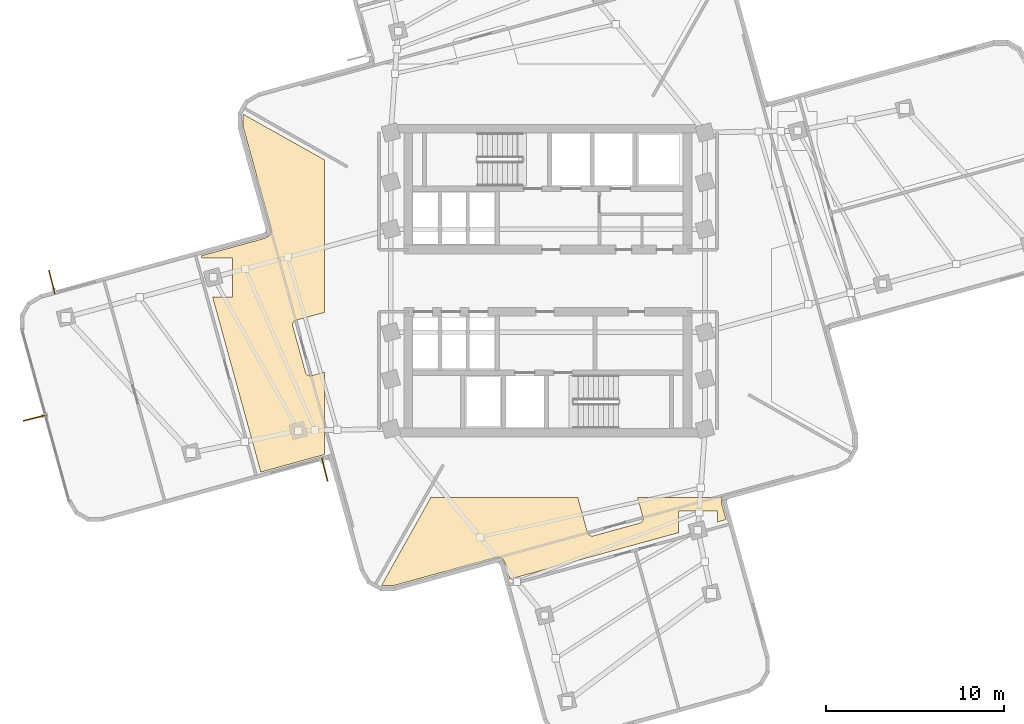
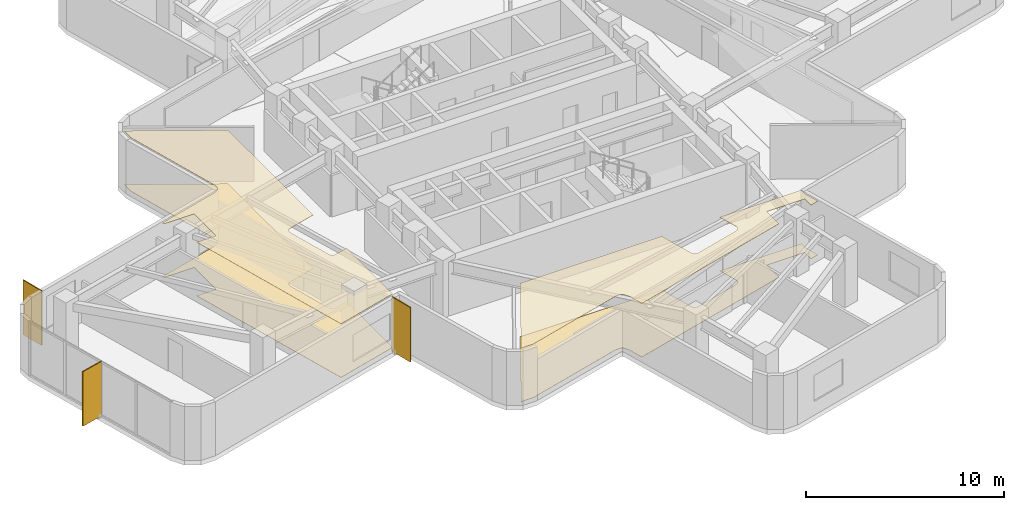
# One storey, part 10 of 12: 4 coverings, 3 shading devices.
"""IFC4 building model written with IfcOpenShell, lengths in metres."""

from ifc_helpers import new_model, si_unit, direction, frame, origin, origin_2d, place, context, subcontext, project, spatial, polyline, rectangle, outline, extrude, material, layer, layer_set, type_object, element, save


model = new_model("IFC4")

# Units and contexts
model_context = context("Model", 3, precision=1e-05, world=origin(), true_north=direction((0.0, 1.0)))
body_context = subcontext(model_context, "Body", "Model", "MODEL_VIEW")
ifc_project = project(units=[si_unit("LENGTHUNIT", "METRE"), si_unit("AREAUNIT", "SQUARE_METRE"), si_unit("VOLUMEUNIT", "CUBIC_METRE"), si_unit("PLANEANGLEUNIT", "RADIAN"), si_unit("MASSUNIT", "GRAM", prefix="KILO")], contexts=[model_context])

# Site, building, storey
site_placement = place(None, origin())
site = spatial("IfcSite", under=ifc_project, at=site_placement, CompositionType="ELEMENT")
building_placement = place(site_placement, origin())
building = spatial("IfcBuilding", under=site, at=building_placement, Name="Solmarez Civic Tower", CompositionType="ELEMENT")
storey_placement = place(building_placement, frame((0.0, 0.0, 134.280029296875)))
storey = spatial("IfcBuildingStorey", under=building, at=storey_placement, Name="L35", CompositionType="ELEMENT", Elevation=134.280029296875)

# Coverings
ifc_material_1 = material(Name="Perforated Mineral-Fibre Acoustic Ceiling")
ifc_layer_1 = layer(ifc_material_1, 0.02490234375)
ifc_layer_set_1 = layer_set([ifc_layer_1], Name="Perforated Mineral-Fibre Acoustic Ceiling")
covering_type_1 = type_object("IfcCoveringType", Name="COV-CEIL-ACOUSTIC", PredefinedType="CEILING", material=ifc_layer_set_1)
covering_1_placement = place(storey_placement, frame((0.0, 0.0, 3.294921875)))
element("IfcCovering", 1, at=covering_1_placement, inside=storey, type_object=covering_type_1, Name="L35 Suspended Acoustic Ceiling 1", PredefinedType="CEILING", context=body_context, shape_type="SweptSolid", body=[
    extrude(outline(polyline([(-16.177001953125, -10.782958984375), (-12.615966796875, -9.802001953125), (-12.60009765625, -9.798095703125), (-12.60009765625, -5.15087890625), (-13.327880859375, -5.35107421875), (-13.337890625, -5.35400390625), (-13.346923828125, -5.35595703125), (-13.37109375, -5.360107421875), (-13.39501953125, -5.361083984375), (-13.405029296875, -5.361083984375), (-13.427001953125, -5.360107421875), (-13.447998046875, -5.35693359375), (-13.452880859375, -5.35595703125), (-13.47998046875, -5.34912109375), (-13.489013671875, -5.345947265625), (-13.508056640625, -5.337890625), (-13.52587890625, -5.3291015625), (-13.534912109375, -5.323974609375), (-13.552001953125, -5.31396484375), (-13.568115234375, -5.301025390625), (-13.583984375, -5.2880859375), (-13.591064453125, -5.281005859375), (-13.60205078125, -5.26806640625), (-13.60791015625, -5.260986328125), (-13.6220703125, -5.243896484375), (-13.633056640625, -5.22509765625), (-13.637939453125, -5.216064453125), (-13.64794921875, -5.195068359375), (-13.656005859375, -5.174072265625), (-13.658935546875, -5.162109375), (-14.3759765625, -2.55908203125), (-14.37890625, -2.549072265625), (-14.381103515625, -2.5400390625), (-14.385009765625, -2.51611328125), (-14.385986328125, -2.491943359375), (-14.385986328125, -2.48193359375), (-14.385009765625, -2.4599609375), (-14.382080078125, -2.43896484375), (-14.381103515625, -2.43408203125), (-14.3740234375, -2.406982421875), (-14.37109375, -2.39794921875), (-14.363037109375, -2.37890625), (-14.35400390625, -2.361083984375), (-14.34912109375, -2.35205078125), (-14.339111328125, -2.3349609375), (-14.325927734375, -2.319091796875), (-14.31298828125, -2.302978515625), (-14.305908203125, -2.2958984375), (-14.29296875, -2.284912109375), (-14.285888671875, -2.279052734375), (-14.26904296875, -2.264892578125), (-14.25, -2.25390625), (-14.240966796875, -2.2490234375), (-14.219970703125, -2.239013671875), (-14.198974609375, -2.23095703125), (-14.18701171875, -2.22802734375), (-12.60009765625, -1.7900390625), (-12.60009765625, 6.81494140625), (-17.1689453125, 9.376953125), (-17.172119140625, 9.3720703125), (-17.1669921875, 8.662109375), (-15.611083984375, 3.013916015625), (-15.60888671875, 3.008056640625), (-15.60302734375, 2.97900390625), (-15.60205078125, 2.971923828125), (-15.60009765625, 2.94091796875), (-15.60009765625, 2.93505859375), (-15.59912109375, 2.761962890625), (-15.59912109375, 2.7548828125), (-15.60107421875, 2.72802734375), (-15.60205078125, 2.719970703125), (-15.60400390625, 2.702880859375), (-15.60791015625, 2.68701171875), (-15.611083984375, 2.678955078125), (-15.617919921875, 2.656005859375), (-15.626953125, 2.634033203125), (-15.6298828125, 2.6279296875), (-15.635986328125, 2.616943359375), (-15.639892578125, 2.610107421875), (-15.64990234375, 2.593994140625), (-15.660888671875, 2.5791015625), (-15.6689453125, 2.568115234375), (-15.68408203125, 2.552001953125), (-15.698974609375, 2.5380859375), (-15.7109375, 2.528076171875), (-15.72998046875, 2.513916015625), (-15.736083984375, 2.510009765625), (-15.7470703125, 2.5029296875), (-15.89111328125, 2.4189453125), (-15.907958984375, 2.408935546875), (-15.925048828125, 2.39990234375), (-15.943115234375, 2.39306640625), (-15.948974609375, 2.39111328125), (-15.958984375, 2.387939453125), (-15.968017578125, 2.385986328125), (-19.532958984375, 1.403076171875), (-19.5, 1.282958984375), (-17.760009765625, 1.282958984375), (-17.760009765625, -0.9169921875), (-18.89404296875, -0.9169921875), (-16.177001953125, -10.782958984375)])), origin(), (0.0, 0.0, 1.0), 0.025146484375),
])
covering_2_placement = place(storey_placement, frame((0.0, 0.0, 3.294921875)))
element("IfcCovering", 2, at=covering_2_placement, inside=storey, type_object=covering_type_1, Name="L35 Suspended Acoustic Ceiling 3", PredefinedType="CEILING", context=body_context, shape_type="SweptSolid", body=[
    extrude(outline(polyline([(-2.5791015625, -15.660888671875), (-2.568115234375, -15.6689453125), (-2.552001953125, -15.68408203125), (-2.5380859375, -15.698974609375), (-2.528076171875, -15.7109375), (-2.513916015625, -15.72998046875), (-2.510009765625, -15.736083984375), (-2.5029296875, -15.7470703125), (-2.4189453125, -15.89111328125), (-2.408935546875, -15.907958984375), (-2.39990234375, -15.925048828125), (-2.39306640625, -15.943115234375), (-2.39111328125, -15.948974609375), (-2.387939453125, -15.958984375), (-2.385986328125, -15.968017578125), (-2.152099609375, -16.81494140625), (7.344970703125, -14.198974609375), (7.344970703125, -12.964111328125), (9.544921875, -12.964111328125), (9.544921875, -13.593017578125), (10.033935546875, -13.4580078125), (9.802001953125, -12.615966796875), (9.797119140625, -12.596923828125), (9.79296875, -12.576904296875), (9.7919921875, -12.570068359375), (9.7900390625, -12.5390625), (9.7900390625, -12.532958984375), (9.7890625, -12.360107421875), (9.7890625, -12.35205078125), (9.791015625, -12.321044921875), (9.7919921875, -12.31396484375), (9.797119140625, -12.2919921875), (9.799072265625, -12.283935546875), (9.800048828125, -12.277099609375), (9.802001953125, -12.27001953125), (9.81201171875, -12.242919921875), (9.81494140625, -12.236083984375), (9.825927734375, -12.214111328125), (9.830078125, -12.20703125), (9.833984375, -12.199951171875), (5.041015625, -12.199951171875), (5.35107421875, -13.327880859375), (5.35400390625, -13.337890625), (5.35595703125, -13.346923828125), (5.360107421875, -13.37109375), (5.361083984375, -13.39501953125), (5.361083984375, -13.405029296875), (5.360107421875, -13.427001953125), (5.35693359375, -13.447998046875), (5.35595703125, -13.452880859375), (5.34912109375, -13.47998046875), (5.345947265625, -13.489013671875), (5.337890625, -13.508056640625), (5.3291015625, -13.52587890625), (5.323974609375, -13.534912109375), (5.31396484375, -13.552001953125), (5.301025390625, -13.568115234375), (5.2880859375, -13.583984375), (5.281005859375, -13.591064453125), (5.26806640625, -13.60205078125), (5.260986328125, -13.60791015625), (5.243896484375, -13.6220703125), (5.22509765625, -13.633056640625), (5.216064453125, -13.637939453125), (5.195068359375, -13.64794921875), (5.174072265625, -13.656005859375), (5.162109375, -13.658935546875), (2.55908203125, -14.3759765625), (2.549072265625, -14.37890625), (2.5400390625, -14.381103515625), (2.51611328125, -14.385009765625), (2.491943359375, -14.385986328125), (2.48193359375, -14.385986328125), (2.4599609375, -14.385009765625), (2.43896484375, -14.382080078125), (2.43408203125, -14.381103515625), (2.406982421875, -14.3740234375), (2.39794921875, -14.37109375), (2.37890625, -14.363037109375), (2.361083984375, -14.35400390625), (2.35205078125, -14.34912109375), (2.3349609375, -14.339111328125), (2.319091796875, -14.325927734375), (2.302978515625, -14.31298828125), (2.2958984375, -14.305908203125), (2.284912109375, -14.29296875), (2.279052734375, -14.285888671875), (2.264892578125, -14.26904296875), (2.25390625, -14.25), (2.2490234375, -14.240966796875), (2.239013671875, -14.219970703125), (2.23095703125, -14.198974609375), (2.22802734375, -14.18701171875), (1.679931640625, -12.199951171875), (-6.590087890625, -12.199951171875), (-9.376953125, -17.1689453125), (-9.3720703125, -17.172119140625), (-8.662109375, -17.1669921875), (-3.013916015625, -15.611083984375), (-3.008056640625, -15.60888671875), (-2.97900390625, -15.60302734375), (-2.971923828125, -15.60205078125), (-2.94091796875, -15.60009765625), (-2.93505859375, -15.60009765625), (-2.761962890625, -15.59912109375), (-2.7548828125, -15.59912109375), (-2.72802734375, -15.60107421875), (-2.719970703125, -15.60205078125), (-2.702880859375, -15.60400390625), (-2.68701171875, -15.60791015625), (-2.678955078125, -15.611083984375), (-2.656005859375, -15.617919921875), (-2.634033203125, -15.626953125), (-2.6279296875, -15.6298828125), (-2.616943359375, -15.635986328125), (-2.610107421875, -15.639892578125), (-2.593994140625, -15.64990234375), (-2.5791015625, -15.660888671875)])), origin(), (0.0, 0.0, 1.0), 0.025146484375),
])
ifc_material_2 = material(Name="Polished Tropical Stone Terrazzo Flooring", Category="masonry")
ifc_layer_2 = layer(ifc_material_2, 0.02001953125)
ifc_layer_set_2 = layer_set([ifc_layer_2], Name="Polished Tropical Stone Terrazzo Flooring")
covering_type_2 = type_object("IfcCoveringType", Name="COV-FLOOR-TERRAZZO", PredefinedType="FLOORING", material=ifc_layer_set_2)
covering_3_placement = place(storey_placement, origin())
element("IfcCovering", 3, at=covering_3_placement, inside=storey, type_object=covering_type_2, Name="L35 Terrazzo Floor Finish 1", PredefinedType="FLOORING", context=body_context, shape_type="SweptSolid", body=[
    extrude(outline(polyline([(-16.177001953125, -10.782958984375), (-12.615966796875, -9.802001953125), (-12.60009765625, -9.798095703125), (-12.60009765625, -5.15087890625), (-13.327880859375, -5.35107421875), (-13.337890625, -5.35400390625), (-13.346923828125, -5.35595703125), (-13.37109375, -5.360107421875), (-13.39501953125, -5.361083984375), (-13.405029296875, -5.361083984375), (-13.427001953125, -5.360107421875), (-13.447998046875, -5.35693359375), (-13.452880859375, -5.35595703125), (-13.47998046875, -5.34912109375), (-13.489013671875, -5.345947265625), (-13.508056640625, -5.337890625), (-13.52587890625, -5.3291015625), (-13.534912109375, -5.323974609375), (-13.552001953125, -5.31396484375), (-13.568115234375, -5.301025390625), (-13.583984375, -5.2880859375), (-13.591064453125, -5.281005859375), (-13.60205078125, -5.26806640625), (-13.60791015625, -5.260986328125), (-13.6220703125, -5.243896484375), (-13.633056640625, -5.22509765625), (-13.637939453125, -5.216064453125), (-13.64794921875, -5.195068359375), (-13.656005859375, -5.174072265625), (-13.658935546875, -5.162109375), (-14.3759765625, -2.55908203125), (-14.37890625, -2.549072265625), (-14.381103515625, -2.5400390625), (-14.385009765625, -2.51611328125), (-14.385986328125, -2.491943359375), (-14.385986328125, -2.48193359375), (-14.385009765625, -2.4599609375), (-14.382080078125, -2.43896484375), (-14.381103515625, -2.43408203125), (-14.3740234375, -2.406982421875), (-14.37109375, -2.39794921875), (-14.363037109375, -2.37890625), (-14.35400390625, -2.361083984375), (-14.34912109375, -2.35205078125), (-14.339111328125, -2.3349609375), (-14.325927734375, -2.319091796875), (-14.31298828125, -2.302978515625), (-14.305908203125, -2.2958984375), (-14.29296875, -2.284912109375), (-14.285888671875, -2.279052734375), (-14.26904296875, -2.264892578125), (-14.25, -2.25390625), (-14.240966796875, -2.2490234375), (-14.219970703125, -2.239013671875), (-14.198974609375, -2.23095703125), (-14.18701171875, -2.22802734375), (-12.60009765625, -1.7900390625), (-12.60009765625, 6.81494140625), (-17.1689453125, 9.376953125), (-17.172119140625, 9.3720703125), (-17.1669921875, 8.662109375), (-15.611083984375, 3.013916015625), (-15.60888671875, 3.008056640625), (-15.60302734375, 2.97900390625), (-15.60205078125, 2.971923828125), (-15.60009765625, 2.94091796875), (-15.60009765625, 2.93505859375), (-15.59912109375, 2.761962890625), (-15.59912109375, 2.7548828125), (-15.60107421875, 2.72802734375), (-15.60205078125, 2.719970703125), (-15.60400390625, 2.702880859375), (-15.60791015625, 2.68701171875), (-15.611083984375, 2.678955078125), (-15.617919921875, 2.656005859375), (-15.626953125, 2.634033203125), (-15.6298828125, 2.6279296875), (-15.635986328125, 2.616943359375), (-15.639892578125, 2.610107421875), (-15.64990234375, 2.593994140625), (-15.660888671875, 2.5791015625), (-15.6689453125, 2.568115234375), (-15.68408203125, 2.552001953125), (-15.698974609375, 2.5380859375), (-15.7109375, 2.528076171875), (-15.72998046875, 2.513916015625), (-15.736083984375, 2.510009765625), (-15.7470703125, 2.5029296875), (-15.89111328125, 2.4189453125), (-15.907958984375, 2.408935546875), (-15.925048828125, 2.39990234375), (-15.943115234375, 2.39306640625), (-15.948974609375, 2.39111328125), (-15.958984375, 2.387939453125), (-15.968017578125, 2.385986328125), (-19.532958984375, 1.403076171875), (-19.5, 1.282958984375), (-17.760009765625, 1.282958984375), (-17.760009765625, -0.9169921875), (-18.89404296875, -0.9169921875), (-16.177001953125, -10.782958984375)])), origin(), (0.0, 0.0, 1.0), 0.02001953125),
])
covering_4_placement = place(storey_placement, origin())
element("IfcCovering", 4, at=covering_4_placement, inside=storey, type_object=covering_type_2, Name="L35 Terrazzo Floor Finish 3", PredefinedType="FLOORING", context=body_context, shape_type="SweptSolid", body=[
    extrude(outline(polyline([(-2.5791015625, -15.660888671875), (-2.568115234375, -15.6689453125), (-2.552001953125, -15.68408203125), (-2.5380859375, -15.698974609375), (-2.528076171875, -15.7109375), (-2.513916015625, -15.72998046875), (-2.510009765625, -15.736083984375), (-2.5029296875, -15.7470703125), (-2.4189453125, -15.89111328125), (-2.408935546875, -15.907958984375), (-2.39990234375, -15.925048828125), (-2.39306640625, -15.943115234375), (-2.39111328125, -15.948974609375), (-2.387939453125, -15.958984375), (-2.385986328125, -15.968017578125), (-2.152099609375, -16.81494140625), (7.344970703125, -14.198974609375), (7.344970703125, -12.964111328125), (9.544921875, -12.964111328125), (9.544921875, -13.593017578125), (10.033935546875, -13.4580078125), (9.802001953125, -12.615966796875), (9.797119140625, -12.596923828125), (9.79296875, -12.576904296875), (9.7919921875, -12.570068359375), (9.7900390625, -12.5390625), (9.7900390625, -12.532958984375), (9.7890625, -12.360107421875), (9.7890625, -12.35205078125), (9.791015625, -12.321044921875), (9.7919921875, -12.31396484375), (9.797119140625, -12.2919921875), (9.799072265625, -12.283935546875), (9.800048828125, -12.277099609375), (9.802001953125, -12.27001953125), (9.81201171875, -12.242919921875), (9.81494140625, -12.236083984375), (9.825927734375, -12.214111328125), (9.830078125, -12.20703125), (9.833984375, -12.199951171875), (5.041015625, -12.199951171875), (5.35107421875, -13.327880859375), (5.35400390625, -13.337890625), (5.35595703125, -13.346923828125), (5.360107421875, -13.37109375), (5.361083984375, -13.39501953125), (5.361083984375, -13.405029296875), (5.360107421875, -13.427001953125), (5.35693359375, -13.447998046875), (5.35595703125, -13.452880859375), (5.34912109375, -13.47998046875), (5.345947265625, -13.489013671875), (5.337890625, -13.508056640625), (5.3291015625, -13.52587890625), (5.323974609375, -13.534912109375), (5.31396484375, -13.552001953125), (5.301025390625, -13.568115234375), (5.2880859375, -13.583984375), (5.281005859375, -13.591064453125), (5.26806640625, -13.60205078125), (5.260986328125, -13.60791015625), (5.243896484375, -13.6220703125), (5.22509765625, -13.633056640625), (5.216064453125, -13.637939453125), (5.195068359375, -13.64794921875), (5.174072265625, -13.656005859375), (5.162109375, -13.658935546875), (2.55908203125, -14.3759765625), (2.549072265625, -14.37890625), (2.5400390625, -14.381103515625), (2.51611328125, -14.385009765625), (2.491943359375, -14.385986328125), (2.48193359375, -14.385986328125), (2.4599609375, -14.385009765625), (2.43896484375, -14.382080078125), (2.43408203125, -14.381103515625), (2.406982421875, -14.3740234375), (2.39794921875, -14.37109375), (2.37890625, -14.363037109375), (2.361083984375, -14.35400390625), (2.35205078125, -14.34912109375), (2.3349609375, -14.339111328125), (2.319091796875, -14.325927734375), (2.302978515625, -14.31298828125), (2.2958984375, -14.305908203125), (2.284912109375, -14.29296875), (2.279052734375, -14.285888671875), (2.264892578125, -14.26904296875), (2.25390625, -14.25), (2.2490234375, -14.240966796875), (2.239013671875, -14.219970703125), (2.23095703125, -14.198974609375), (2.22802734375, -14.18701171875), (1.679931640625, -12.199951171875), (-6.590087890625, -12.199951171875), (-9.376953125, -17.1689453125), (-9.3720703125, -17.172119140625), (-8.662109375, -17.1669921875), (-3.013916015625, -15.611083984375), (-3.008056640625, -15.60888671875), (-2.97900390625, -15.60302734375), (-2.971923828125, -15.60205078125), (-2.94091796875, -15.60009765625), (-2.93505859375, -15.60009765625), (-2.761962890625, -15.59912109375), (-2.7548828125, -15.59912109375), (-2.72802734375, -15.60107421875), (-2.719970703125, -15.60205078125), (-2.702880859375, -15.60400390625), (-2.68701171875, -15.60791015625), (-2.678955078125, -15.611083984375), (-2.656005859375, -15.617919921875), (-2.634033203125, -15.626953125), (-2.6279296875, -15.6298828125), (-2.616943359375, -15.635986328125), (-2.610107421875, -15.639892578125), (-2.593994140625, -15.64990234375), (-2.5791015625, -15.660888671875)])), origin(), (0.0, 0.0, 1.0), 0.02001953125),
])

# Shading devices
ifc_material_3 = material(Name="Bronze Anodised Aluminium EN AW-6063 T6", Category="aluminium")
ifc_layer_3 = layer(ifc_material_3, 0.06005859375)
ifc_layer_set_3 = layer_set([ifc_layer_3], Name="Bronze Anodised Aluminium EN AW-6063 T6")
shading_device_type = type_object("IfcShadingDeviceType", Name="FIN-BRONZE-Z34", PredefinedType="USERDEFINED", material=ifc_layer_set_3)
for number, where, z_axis, x_axis, name in (
    (5, (-12.577880859375, -10.637939453125, -0.0400390625), (0.0, 0.0, 1.0), (0.244816674093, -0.969569386937, 0.0), "L35 Anodised Bronze Solar Fin FIN-L35-01"),
    (6, (-28.89990234375, -7.73193359375, -0.0400390625), (0.0, 0.0, 1.0), (-0.969582204179, -0.244765907223, 0.0), "L35 Anodised Bronze Solar Fin FIN-L35-02"),
    (7, (-27.945068359375, -0.069091796875, -0.0400390625), (0.0, 0.0, 1.0), (-0.244765907223, 0.969582204179, 0.0), "L35 Anodised Bronze Solar Fin FIN-L35-03"),
):
    element("IfcShadingDevice", number, at=place(storey_placement, frame(where, z_axis=z_axis, x_axis=x_axis)), inside=storey, type_object=shading_device_type, Name=name, ObjectType="FIN", PredefinedType="USERDEFINED", context=body_context, shape_type="SweptSolid", body=[
        extrude(rectangle(XDim=1.35009765625, YDim=0.06005859375, at=origin_2d()), origin(), (0.0, 0.0, 1.0), 3.360107421875),
    ])

save(model, "model.ifc")
